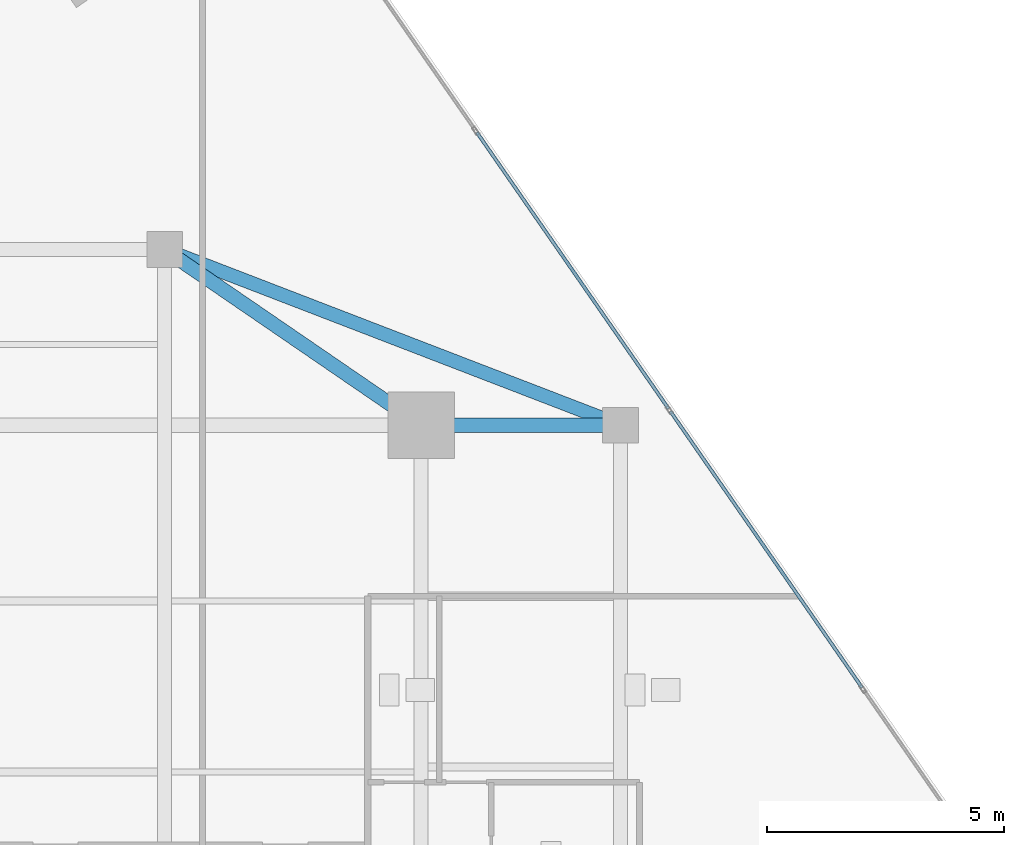
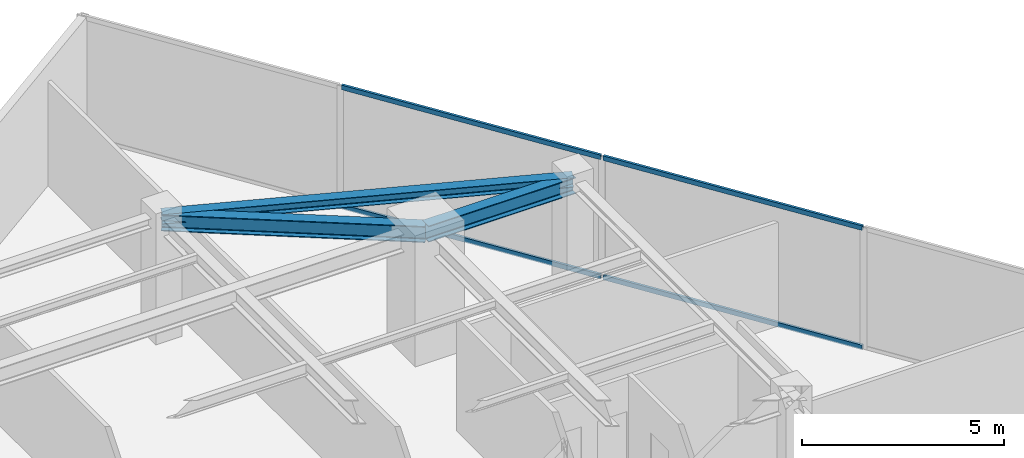
# One storey, part 15 of 21: 4 members, 3 beams, 1 element without a shape of its own.
"""IFC4 building model written with IfcOpenShell, lengths in metres."""

from ifc_helpers import new_model, si_unit, direction, frame, origin, origin_2d, place, context, subcontext, project, spatial, hollow_rectangle, i_section, extrude, source, transform, mapped, material, material_profile, profile_set, type_object, type_shapes, element, aggregate, save


model = new_model("IFC4")

# Units and contexts
model_context = context("Model", 3, precision=1e-05, world=origin(), true_north=direction((0.0, 1.0)))
body_context = subcontext(model_context, "Body", "Model", "MODEL_VIEW")
ifc_project = project(units=[si_unit("LENGTHUNIT", "METRE"), si_unit("AREAUNIT", "SQUARE_METRE"), si_unit("VOLUMEUNIT", "CUBIC_METRE"), si_unit("PLANEANGLEUNIT", "RADIAN"), si_unit("MASSUNIT", "GRAM", prefix="KILO")], contexts=[model_context])

# Site, building, storey
site_placement = place(None, origin())
site = spatial("IfcSite", under=ifc_project, at=site_placement, CompositionType="ELEMENT")
building_placement = place(site_placement, origin())
building = spatial("IfcBuilding", under=site, at=building_placement, Name="Krantzveldt Concourse Tower", CompositionType="ELEMENT")
storey_placement = place(building_placement, frame((0.0, 0.0, 271.35009765625)))
storey = spatial("IfcBuildingStorey", under=building, at=storey_placement, Name="L66", CompositionType="ELEMENT", Elevation=271.35009765625)

# Beams
ifc_material_1 = material(Name="Steel S355JR", Category="steel")
ifc_material_profile_1 = material_profile(ifc_material_1, i_section(OverallWidth=0.300048828125, OverallDepth=0.489990234375, WebThickness=0.011962890625, FlangeThickness=0.02294921875, FilletRadius=0.027099609375, at=origin_2d()), Name="Steel S355JR", Category="steel")
ifc_profile_set_1 = profile_set([ifc_material_profile_1], Name="Steel S355JR - HEA 500")
beam_type_1 = type_object("IfcBeamType", Name="BM-B-HEA500", PredefinedType="BEAM", material=ifc_profile_set_1)
shared_shape_1 = source(origin(), body_context, "Body", "SweptSolid", [
    extrude(i_section(OverallWidth=0.300048828125, OverallDepth=0.489990234375, WebThickness=0.011962890625, FlangeThickness=0.02294921875, FilletRadius=0.027099609375, at=origin_2d()), origin(), (0.0, 0.0, 1.0), 4.199951171875),
])
beam_1_placement = place(storey_placement, frame((46.800048828125, 37.5, 3.4248046875), z_axis=(1.0, 0.0, 0.0), x_axis=(0.0, 1.0, 0.0)))
element("IfcBeam", 1, at=beam_1_placement, inside=storey, type_object=beam_type_1, Name="L66 Tower Girder BR-RR3", PredefinedType="BEAM", context=body_context, shape_type="MappedRepresentation", body=[
    mapped(shared_shape_1, transform((0.0, 0.0, 0.0), x_axis=(1.0, 0.0, 0.0), y_axis=(0.0, 1.0, 0.0), z_axis=(0.0, 0.0, 1.0), scale=1.0)),
])
shared_shape_2 = source(origin(), body_context, "Body", "SweptSolid", [
    extrude(i_section(OverallWidth=0.300048828125, OverallDepth=0.489990234375, WebThickness=0.011962890625, FlangeThickness=0.02294921875, FilletRadius=0.027099609375, at=origin_2d()), origin(), (0.0, 0.0, 1.0), 6.546142578125),
])
type_shapes(beam_type_1, [shared_shape_1, shared_shape_2])
beam_2_placement = place(storey_placement, frame((46.800048828125, 37.5, 3.4248046875), z_axis=(-0.824942999484, 0.565215930068, 0.0), x_axis=(-0.565215930068, -0.824942999484, 0.0)))
element("IfcBeam", 2, at=beam_2_placement, inside=storey, type_object=beam_type_1, Name="L66 Tower Girder BR-RR4", PredefinedType="BEAM", context=body_context, shape_type="MappedRepresentation", body=[
    mapped(shared_shape_2, transform((0.0, 0.0, 0.0), x_axis=(1.0, 0.0, 0.0), y_axis=(0.0, 1.0, 0.0), z_axis=(0.0, 0.0, 1.0), scale=1.0)),
])
ifc_material_profile_2 = material_profile(ifc_material_1, i_section(OverallWidth=0.2900390625, OverallDepth=0.2900390625, WebThickness=0.008544921875, FlangeThickness=0.013916015625, FilletRadius=0.027099609375, at=origin_2d()), Name="Steel S355JR", Category="steel")
ifc_profile_set_2 = profile_set([ifc_material_profile_2], Name="Steel S355JR - HEA 300")
beam_type_2 = type_object("IfcBeamType", Name="BM-SP-HEA300", PredefinedType="SPANDREL", material=ifc_profile_set_2)
shared_shape_3 = source(origin(), body_context, "Body", "SweptSolid", [
    extrude(i_section(OverallWidth=0.2900390625, OverallDepth=0.2900390625, WebThickness=0.008544921875, FlangeThickness=0.013916015625, FilletRadius=0.027099609375, at=origin_2d()), origin(), (0.0, 0.0, 1.0), 10.288330078125),
])
type_shapes(beam_type_2, [shared_shape_3])
beam_3_placement = place(storey_placement, frame((41.39990234375, 41.199951171875, 3.52490234375), z_axis=(0.933097690408, -0.359622997257, 0.0), x_axis=(0.359622997257, 0.933097690408, 0.0)))
element("IfcBeam", 3, at=beam_3_placement, inside=storey, type_object=beam_type_2, Name="L66 Tower Girder SP-R05", PredefinedType="SPANDREL", context=body_context, shape_type="MappedRepresentation", body=[
    mapped(shared_shape_3, transform((0.0, 0.0, 0.0), x_axis=(1.0, 0.0, 0.0), y_axis=(0.0, 1.0, 0.0), z_axis=(0.0, 0.0, 1.0), scale=1.0)),
])

# Curtain wall, members
ifc_material_2 = material(Name="Anodised aluminium 6063-T6", Category="aluminium")
curtain_wall_type = type_object("IfcCurtainWallType", Name="CW4", PredefinedType="USERDEFINED", material=ifc_material_2)
curtain_wall_placement = place(storey_placement, origin())
curtain_wall = element("IfcCurtainWall", 4, at=curtain_wall_placement, inside=storey, type_object=curtain_wall_type, Name="CW-L66-F14", ObjectType="UNITISED CURTAIN WALL", PredefinedType="USERDEFINED")
ifc_material_profile_3 = material_profile(ifc_material_2, hollow_rectangle(XDim=0.070068359375, YDim=0.139892578125, WallThickness=0.0048828125, at=origin_2d()), Name="Anodised aluminium 6063-T6", Category="aluminium")
ifc_profile_set_3 = profile_set([ifc_material_profile_3], Name="Anodised aluminium 6063-T6 - ALU-TRAN 140x70x5")
member_type = type_object("IfcMemberType", Name="CW-TRN-150", PredefinedType="USERDEFINED", material=ifc_profile_set_3)
shared_shape_4 = source(origin(), body_context, "Body", "SweptSolid", [
    extrude(hollow_rectangle(XDim=0.070068359375, YDim=0.139892578125, WallThickness=0.0048828125, at=origin_2d()), origin(), (0.0, 0.0, 1.0), 7.080078125),
])
type_shapes(member_type, [shared_shape_4])
member_1_placement = place(storey_placement, frame((56.0859375, 31.974609375, 0.034912109375), z_axis=(-0.569995091692, 0.821648097087, 0.0), x_axis=(-0.821648097087, -0.569995091692, 0.0)))
member_1 = element("IfcMember", 5, at=member_1_placement, type_object=member_type, Name="CW-Z56 transom 2.1", ObjectType="TRANSOM", PredefinedType="USERDEFINED", context=body_context, shape_type="MappedRepresentation", body=[
    mapped(shared_shape_4, transform((0.0, 0.0, 0.0), x_axis=(1.0, 0.0, 0.0), y_axis=(0.0, 1.0, 0.0), z_axis=(0.0, 0.0, 1.0), scale=1.0)),
])
member_2_placement = place(storey_placement, frame((56.0859375, 31.974609375, 3.635009765625), z_axis=(-0.569995091692, 0.821648097087, 0.0), x_axis=(-0.821648097087, -0.569995091692, 0.0)))
member_2 = element("IfcMember", 6, at=member_2_placement, type_object=member_type, Name="CW-Z56 transom 2.2", ObjectType="TRANSOM", PredefinedType="USERDEFINED", context=body_context, shape_type="MappedRepresentation", body=[
    mapped(shared_shape_4, transform((0.0, 0.0, 0.0), x_axis=(1.0, 0.0, 0.0), y_axis=(0.0, 1.0, 0.0), z_axis=(0.0, 0.0, 1.0), scale=1.0)),
])
member_3_placement = place(storey_placement, frame((52.010498046875, 37.849365234375, 0.034912109375), z_axis=(-0.569995091692, 0.821648097087, 0.0), x_axis=(-0.821648097087, -0.569995091692, 0.0)))
member_3 = element("IfcMember", 7, at=member_3_placement, type_object=member_type, Name="CW-Z56 transom 3.1", ObjectType="TRANSOM", PredefinedType="USERDEFINED", context=body_context, shape_type="MappedRepresentation", body=[
    mapped(shared_shape_4, transform((0.0, 0.0, 0.0), x_axis=(1.0, 0.0, 0.0), y_axis=(0.0, 1.0, 0.0), z_axis=(0.0, 0.0, 1.0), scale=1.0)),
])
member_4_placement = place(storey_placement, frame((52.010498046875, 37.849365234375, 3.635009765625), z_axis=(-0.569995091692, 0.821648097087, 0.0), x_axis=(-0.821648097087, -0.569995091692, 0.0)))
member_4 = element("IfcMember", 8, at=member_4_placement, type_object=member_type, Name="CW-Z56 transom 3.2", ObjectType="TRANSOM", PredefinedType="USERDEFINED", context=body_context, shape_type="MappedRepresentation", body=[
    mapped(shared_shape_4, transform((0.0, 0.0, 0.0), x_axis=(1.0, 0.0, 0.0), y_axis=(0.0, 1.0, 0.0), z_axis=(0.0, 0.0, 1.0), scale=1.0)),
])
aggregate(curtain_wall, [member_1, member_2, member_3, member_4])

save(model, "model.ifc")
